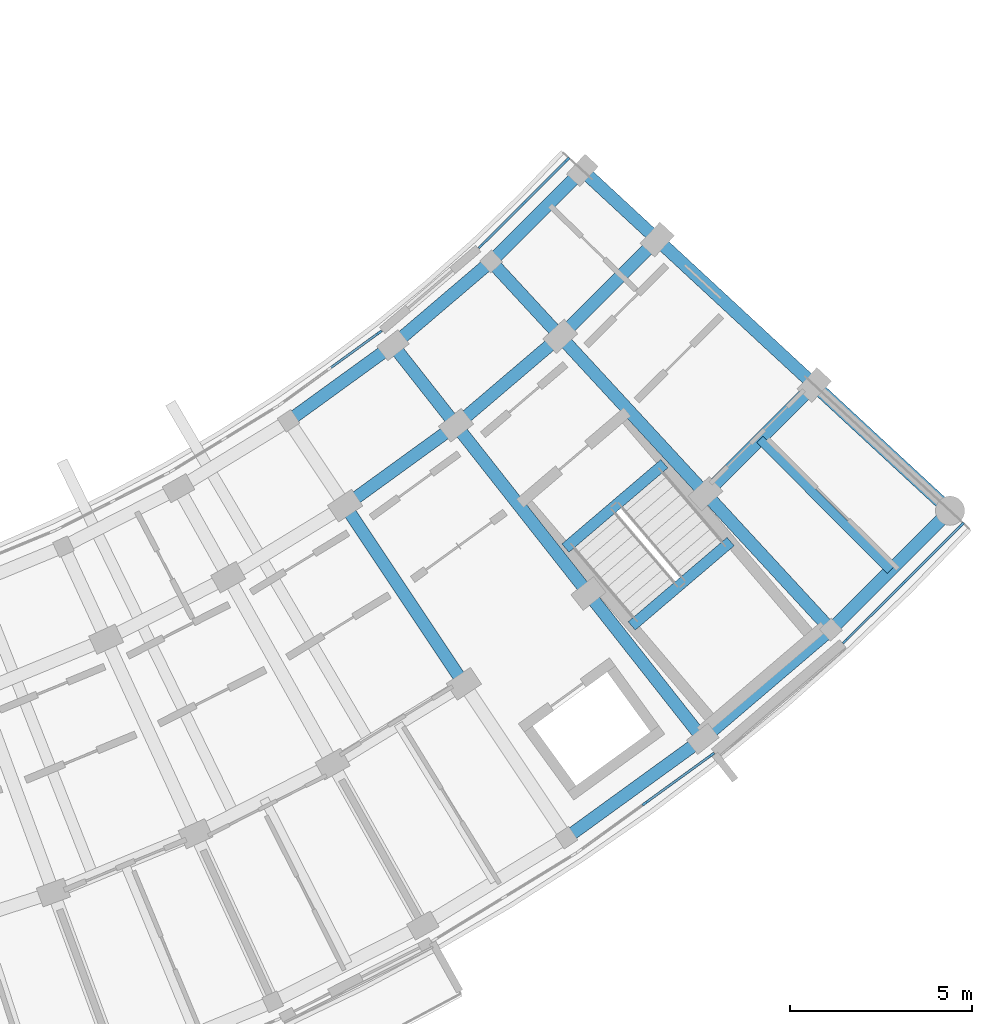
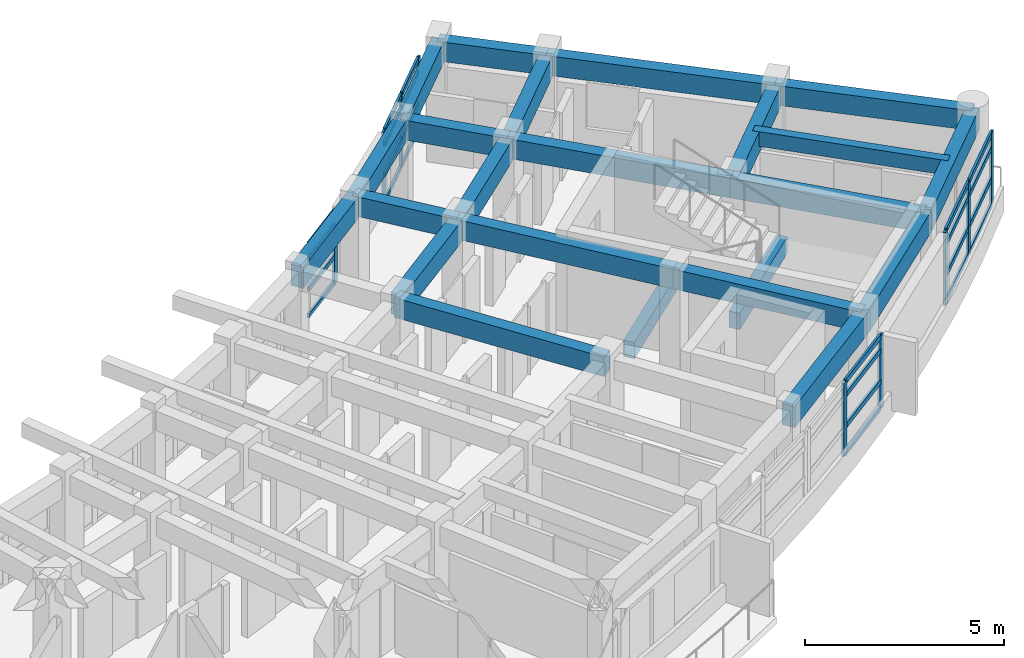
# One storey, part 20 of 55: 33 members, 23 beams, 4 elements without a shape of their own.
"""IFC4 building model written with IfcOpenShell, lengths in metres."""

from ifc_helpers import new_model, si_unit, direction, frame, origin, origin_2d, place, context, subcontext, project, spatial, rectangle, extrude, material, material_profile, profile_set, type_object, element, aggregate, save


model = new_model("IFC4")

# Units and contexts
model_context = context("Model", 3, precision=1e-05, world=origin(), true_north=direction((0.0, 1.0)))
body_context = subcontext(model_context, "Body", "Model", "MODEL_VIEW")
ifc_project = project(units=[si_unit("LENGTHUNIT", "METRE"), si_unit("AREAUNIT", "SQUARE_METRE"), si_unit("VOLUMEUNIT", "CUBIC_METRE"), si_unit("PLANEANGLEUNIT", "RADIAN"), si_unit("MASSUNIT", "GRAM", prefix="KILO")], contexts=[model_context])

# Site, building, storey
site_placement = place(None, origin())
site = spatial("IfcSite", under=ifc_project, at=site_placement, CompositionType="ELEMENT")
building_placement = place(site_placement, origin())
building = spatial("IfcBuilding", under=site, at=building_placement, Name="Zimvara Arc Housing Community", CompositionType="ELEMENT")
storey_placement = place(building_placement, frame((0.0, 0.0, 14.300048828125)))
storey = spatial("IfcBuildingStorey", under=building, at=storey_placement, Name="L04", CompositionType="ELEMENT", Elevation=14.300048828125)

# Beams
ifc_material_1 = material(Name="Concrete C40/50", Category="concrete")
ifc_material_profile_1 = material_profile(ifc_material_1, rectangle(XDim=0.25, YDim=0.449951171875, at=origin_2d()), Name="RC 250x450")
ifc_profile_set_1 = profile_set([ifc_material_profile_1], Name="Concrete C40/50")
beam_type_1 = type_object("IfcBeamType", Name="BM-RC-250x450", PredefinedType="JOIST", material=ifc_profile_set_1)
beam_1_placement = place(storey_placement, frame((163.959716796875, 71.813720703125, 2.635009765625), z_axis=(0.706529394337, -0.707683696956, 0.0), x_axis=(0.707683696956, 0.706529394337, 0.0)))
element("IfcBeam", 1, at=beam_1_placement, inside=storey, type_object=beam_type_1, Name="bm:blkD:L04:joist:b9", PredefinedType="JOIST", context=body_context, shape_type="SweptSolid", body=[
    extrude(rectangle(XDim=0.25, YDim=0.449951171875, at=origin_2d()), origin(), (0.0, 0.0, 1.0), 5.076171875),
])
ifc_material_2 = material(Name="Concrete C40/50", Category="concrete")
ifc_material_profile_2 = material_profile(ifc_material_2, rectangle(XDim=0.300048828125, YDim=0.5, at=origin_2d()), Name="RC 300x500")
ifc_profile_set_2 = profile_set([ifc_material_profile_2], Name="Concrete C40/50")
beam_type_2 = type_object("IfcBeamType", Name="BM-RC-300x500", PredefinedType="BEAM", material=ifc_profile_set_2)
for number, where, z_axis, x_axis, name in (
    (2, (158.617919921875, 68.826904296875, -0.25), (0.760986863652, 0.648767287515, 0.0), (-0.648767287515, 0.760986863652, 0.0), "bm:stair_trim:ST-D2:L04:near"),
    (3, (160.439697265625, 66.690185546875, 1.300048828125), (0.760986863652, 0.648767287515, 0.0), (-0.648767287515, 0.760986863652, 0.0), "bm:stair_trim:ST-D2:L04:mid"),
):
    element("IfcBeam", number, at=place(storey_placement, frame(where, z_axis=z_axis, x_axis=x_axis)), inside=storey, type_object=beam_type_2, Name=name, PredefinedType="BEAM", context=body_context, shape_type="SweptSolid", body=[
        extrude(rectangle(XDim=0.300048828125, YDim=0.5, at=origin_2d()), origin(), (0.0, 0.0, 1.0), 3.570068359375),
    ])
ifc_material_3 = material(Name="Concrete C40/50", Category="concrete")
ifc_material_profile_3 = material_profile(ifc_material_3, rectangle(XDim=0.35009765625, YDim=0.60009765625, at=origin_2d()), Name="RC 350x600")
ifc_profile_set_3 = profile_set([ifc_material_profile_3], Name="Concrete C40/50")
beam_type_3 = type_object("IfcBeamType", Name="BM-RC-350x600", PredefinedType="BEAM", material=ifc_profile_set_3)
beam_2_placement = place(storey_placement, frame((152.568115234375, 69.99267578125, 2.56005859375), z_axis=(0.554843914175, -0.831954464441, 0.0), x_axis=(0.831954464441, 0.554843914175, 0.0)))
element("IfcBeam", 4, at=beam_2_placement, inside=storey, type_object=beam_type_3, Name="bm:blkD:L04:rad:b7:r12", PredefinedType="BEAM", context=body_context, shape_type="SweptSolid", body=[
    extrude(rectangle(XDim=0.35009765625, YDim=0.60009765625, at=origin_2d()), origin(), (0.0, 0.0, 1.0), 5.8798828125),
])
beam_3_placement = place(storey_placement, frame((153.882568359375, 74.402099609375, 2.56005859375), z_axis=(0.618379767762, -0.785879420028, 0.0), x_axis=(0.785879420028, 0.618379767762, 0.0)))
element("IfcBeam", 5, at=beam_3_placement, inside=storey, type_object=beam_type_3, Name="bm:blkD:L04:rad:b8:r01", PredefinedType="BEAM", context=body_context, shape_type="SweptSolid", body=[
    extrude(rectangle(XDim=0.35009765625, YDim=0.60009765625, at=origin_2d()), origin(), (0.0, 0.0, 1.0), 2.800048828125),
])
beam_4_placement = place(storey_placement, frame((155.614013671875, 72.20166015625, 2.56005859375), z_axis=(0.618431976389, -0.785838336161, 0.0), x_axis=(0.785838336161, 0.618431976389, 0.0)))
element("IfcBeam", 6, at=beam_4_placement, inside=storey, type_object=beam_type_3, Name="bm:blkD:L04:rad:b8:r12", PredefinedType="BEAM", context=body_context, shape_type="SweptSolid", body=[
    extrude(rectangle(XDim=0.35009765625, YDim=0.60009765625, at=origin_2d()), origin(), (0.0, 0.0, 1.0), 5.880126953125),
])
beam_5_placement = place(storey_placement, frame((159.25048828125, 67.580810546875, 2.56005859375), z_axis=(0.618409338539, -0.785856150964, 0.0), x_axis=(0.785856150964, 0.618409338539, 0.0)))
element("IfcBeam", 7, at=beam_5_placement, inside=storey, type_object=beam_type_3, Name="bm:blkD:L04:rad:b8:r23", PredefinedType="BEAM", context=body_context, shape_type="SweptSolid", body=[
    extrude(rectangle(XDim=0.35009765625, YDim=0.60009765625, at=origin_2d()), origin(), (0.0, 0.0, 1.0), 5.079833984375),
])
beam_6_placement = place(storey_placement, frame((156.57861328125, 76.70068359375, 2.56005859375), z_axis=(0.678109874626, -0.734960541754, 0.0), x_axis=(0.734960541754, 0.678109874626, 0.0)))
element("IfcBeam", 8, at=beam_6_placement, inside=storey, type_object=beam_type_3, Name="bm:blkD:L04:rad:b9:r01", PredefinedType="BEAM", context=body_context, shape_type="SweptSolid", body=[
    extrude(rectangle(XDim=0.35009765625, YDim=0.60009765625, at=origin_2d()), origin(), (0.0, 0.0, 1.0), 2.800048828125),
])
beam_7_placement = place(storey_placement, frame((158.477294921875, 74.642822265625, 2.56005859375), z_axis=(0.678180078146, -0.734895762409, 0.0), x_axis=(0.734895762409, 0.678180078146, 0.0)))
element("IfcBeam", 9, at=beam_7_placement, inside=storey, type_object=beam_type_3, Name="bm:blkD:L04:rad:b9:r12", PredefinedType="BEAM", context=body_context, shape_type="SweptSolid", body=[
    extrude(rectangle(XDim=0.35009765625, YDim=0.60009765625, at=origin_2d()), origin(), (0.0, 0.0, 1.0), 5.880126953125),
])
beam_8_placement = place(storey_placement, frame((162.465087890625, 70.321533203125, 2.56005859375), z_axis=(0.678158334116, -0.734915827744, 0.0), x_axis=(0.734915827744, 0.678158334116, 0.0)))
element("IfcBeam", 10, at=beam_8_placement, inside=storey, type_object=beam_type_3, Name="bm:blkD:L04:rad:b9:r23", PredefinedType="BEAM", context=body_context, shape_type="SweptSolid", body=[
    extrude(rectangle(XDim=0.35009765625, YDim=0.60009765625, at=origin_2d()), origin(), (0.0, 0.0, 1.0), 5.080078125),
])
beam_9_placement = place(storey_placement, frame((159.0859375, 79.20361328125, 2.56005859375), z_axis=(0.733746184278, -0.679423680083, 0.0), x_axis=(0.679423680083, 0.733746184278, 0.0)))
element("IfcBeam", 11, at=beam_9_placement, inside=storey, type_object=beam_type_3, Name="bm:blkD:L04:rad:b10:r01", PredefinedType="BEAM", context=body_context, shape_type="SweptSolid", body=[
    extrude(rectangle(XDim=0.35009765625, YDim=0.60009765625, at=origin_2d()), origin(), (0.0, 0.0, 1.0), 2.800048828125),
])
beam_10_placement = place(storey_placement, frame((161.140380859375, 77.30126953125, 2.56005859375), z_axis=(0.733720040868, -0.679451912668, 0.0), x_axis=(0.679451912668, 0.733720040868, 0.0)))
element("IfcBeam", 12, at=beam_10_placement, inside=storey, type_object=beam_type_3, Name="bm:blkD:L04:rad:b10:r12", PredefinedType="BEAM", context=body_context, shape_type="SweptSolid", body=[
    extrude(rectangle(XDim=0.35009765625, YDim=0.60009765625, at=origin_2d()), origin(), (0.0, 0.0, 1.0), 5.8798828125),
])
beam_11_placement = place(storey_placement, frame((165.45458984375, 73.30615234375, 2.56005859375), z_axis=(0.733737603291, -0.679432947035, 0.0), x_axis=(0.679432947035, 0.733737603291, 0.0)))
element("IfcBeam", 13, at=beam_11_placement, inside=storey, type_object=beam_type_3, Name="bm:blkD:L04:rad:b10:r23", PredefinedType="BEAM", context=body_context, shape_type="SweptSolid", body=[
    extrude(rectangle(XDim=0.35009765625, YDim=0.60009765625, at=origin_2d()), origin(), (0.0, 0.0, 1.0), 5.080322265625),
])
ifc_material_4 = material(Name="Concrete C40/50", Category="concrete")
ifc_material_profile_4 = material_profile(ifc_material_4, rectangle(XDim=0.35009765625, YDim=0.64990234375, at=origin_2d()), Name="RC 350x650")
ifc_profile_set_4 = profile_set([ifc_material_profile_4], Name="Concrete C40/50")
beam_type_4 = type_object("IfcBeamType", Name="BM-RC-350x650", PredefinedType="BEAM", material=ifc_profile_set_4)
beam_12_placement = place(storey_placement, frame((151.0146484375, 72.322265625, 2.534912109375), z_axis=(0.809531019898, 0.587077105517, 0.0), x_axis=(-0.587077105517, 0.809531019898, 0.0)))
element("IfcBeam", 14, at=beam_12_placement, inside=storey, type_object=beam_type_4, Name="bm:blkD:L04:chord:r0:b7", PredefinedType="BEAM", context=body_context, shape_type="SweptSolid", body=[
    extrude(rectangle(XDim=0.35009765625, YDim=0.64990234375, at=origin_2d()), origin(), (0.0, 0.0, 1.0), 3.542724609375),
])
beam_13_placement = place(storey_placement, frame((153.882568359375, 74.402099609375, 2.534912109375), z_axis=(0.760971029961, 0.648785859556, 0.0), x_axis=(-0.648785859556, 0.760971029961, 0.0)))
element("IfcBeam", 15, at=beam_13_placement, inside=storey, type_object=beam_type_4, Name="bm:blkD:L04:chord:r0:b8", PredefinedType="BEAM", context=body_context, shape_type="SweptSolid", body=[
    extrude(rectangle(XDim=0.35009765625, YDim=0.64990234375, at=origin_2d()), origin(), (0.0, 0.0, 1.0), 3.54296875),
])
beam_14_placement = place(storey_placement, frame((156.57861328125, 76.70068359375, 2.534912109375), z_axis=(0.70772671761, 0.706486300773, 0.0), x_axis=(-0.706486300773, 0.70772671761, 0.0)))
element("IfcBeam", 16, at=beam_14_placement, inside=storey, type_object=beam_type_4, Name="bm:blkD:L04:chord:r0:b9", PredefinedType="BEAM", context=body_context, shape_type="SweptSolid", body=[
    extrude(rectangle(XDim=0.35009765625, YDim=0.64990234375, at=origin_2d()), origin(), (0.0, 0.0, 1.0), 3.542724609375),
])
for number, where, z_axis, x_axis, name in (
    (17, (152.568115234375, 69.99267578125, 2.534912109375), (0.809521012702, 0.58709090437, 0.0), (-0.58709090437, 0.809521012702, 0.0), "bm:blkD:L04:chord:r1:b7"),
    (18, (155.614013671875, 72.20166015625, 2.534912109375), (0.760971502801, 0.648785304955, 0.0), (-0.648785304955, 0.760971502801, 0.0), "bm:blkD:L04:chord:r1:b8"),
):
    element("IfcBeam", number, at=place(storey_placement, frame(where, z_axis=z_axis, x_axis=x_axis)), inside=storey, type_object=beam_type_4, Name=name, PredefinedType="BEAM", context=body_context, shape_type="SweptSolid", body=[
        extrude(rectangle(XDim=0.35009765625, YDim=0.64990234375, at=origin_2d()), origin(), (0.0, 0.0, 1.0), 3.7626953125),
    ])
beam_15_placement = place(storey_placement, frame((158.477294921875, 74.642822265625, 2.534912109375), z_axis=(0.707722882862, 0.706490142234, 0.0), x_axis=(-0.706490142234, 0.707722882862, 0.0)))
element("IfcBeam", 19, at=beam_15_placement, inside=storey, type_object=beam_type_4, Name="bm:blkD:L04:chord:r1:b9", PredefinedType="BEAM", context=body_context, shape_type="SweptSolid", body=[
    extrude(rectangle(XDim=0.35009765625, YDim=0.64990234375, at=origin_2d()), origin(), (0.0, 0.0, 1.0), 3.762939453125),
])
beam_16_placement = place(storey_placement, frame((162.465087890625, 70.321533203125, 2.534912109375), z_axis=(0.707684482516, 0.706528607493, 0.0), x_axis=(-0.706528607493, 0.707684482516, 0.0)))
element("IfcBeam", 20, at=beam_16_placement, inside=storey, type_object=beam_type_4, Name="bm:blkD:L04:chord:r2:b9", PredefinedType="BEAM", context=body_context, shape_type="SweptSolid", body=[
    extrude(rectangle(XDim=0.35009765625, YDim=0.64990234375, at=origin_2d()), origin(), (0.0, 0.0, 1.0), 4.224365234375),
])
for number, where, z_axis, x_axis, name in (
    (21, (158.649169921875, 60.87451171875, 2.534912109375), (0.809516329672, 0.587097361598, 0.0), (-0.587097361598, 0.809516329672, 0.0), "bm:blkD:L04:chord:r3:b7"),
    (22, (162.391845703125, 63.5888671875, 2.534912109375), (0.761009534972, 0.648740693715, 0.0), (-0.648740693715, 0.761009534972, 0.0), "bm:blkD:L04:chord:r3:b8"),
    (23, (165.91015625, 66.588134765625, 2.534912109375), (0.707713796096, 0.706499244738, 0.0), (-0.706499244738, 0.707713796096, 0.0), "bm:blkD:L04:chord:r3:b9"),
):
    element("IfcBeam", number, at=place(storey_placement, frame(where, z_axis=z_axis, x_axis=x_axis)), inside=storey, type_object=beam_type_4, Name=name, PredefinedType="BEAM", context=body_context, shape_type="SweptSolid", body=[
        extrude(rectangle(XDim=0.35009765625, YDim=0.64990234375, at=origin_2d()), origin(), (0.0, 0.0, 1.0), 4.623291015625),
    ])

# Curtain wall, member
ifc_material_5 = material(Name="Anodised Aluminium AW-6063", Category="aluminium")
curtain_wall_type_1 = type_object("IfcCurtainWallType", Name="CW-SYS-04", PredefinedType="USERDEFINED", material=ifc_material_5)
curtain_wall_1_placement = place(storey_placement, origin())
curtain_wall_1 = element("IfcCurtainWall", 24, at=curtain_wall_1_placement, inside=storey, type_object=curtain_wall_type_1, Name="cw:blkD:L04:in:b7", ObjectType="CURTAIN WALL", PredefinedType="USERDEFINED")
ifc_material_6 = material(Name="Anodised Aluminium AW-6063", Category="aluminium")
ifc_material_profile_5 = material_profile(ifc_material_6, rectangle(XDim=0.06494140625, YDim=0.179931640625, at=origin_2d()), Name="ALU 65x180")
ifc_profile_set_5 = profile_set([ifc_material_profile_5], Name="Anodised Aluminium AW-6063")
member_type_1 = type_object("IfcMemberType", Name="CWM-65x150", PredefinedType="MULLION", material=ifc_profile_set_5)
member_1_placement = place(storey_placement, frame((153.49853515625, 74.74072265625, 0.0), z_axis=(0.0, 0.0, 1.0), x_axis=(-0.587079343755, 0.809529396709, 0.0)))
member_1 = element("IfcMember", 25, at=member_1_placement, type_object=member_type_1, Name="CW04 mullion 3", PredefinedType="MULLION", context=body_context, shape_type="SweptSolid", body=[
    extrude(rectangle(XDim=0.06494140625, YDim=0.179931640625, at=origin_2d()), origin(), (0.0, 0.0, 1.0), 2.25),
])

# Curtain wall, members
ifc_material_7 = material(Name="Anodised Aluminium AW-6063", Category="aluminium")
curtain_wall_type_2 = type_object("IfcCurtainWallType", Name="CW-SYS-06", PredefinedType="USERDEFINED", material=ifc_material_7)
curtain_wall_2_placement = place(storey_placement, origin())
curtain_wall_2 = element("IfcCurtainWall", 26, at=curtain_wall_2_placement, inside=storey, type_object=curtain_wall_type_2, Name="cw:blkD:L04:in:b9", ObjectType="CURTAIN WALL", PredefinedType="USERDEFINED")
member_2_placement = place(storey_placement, frame((156.304931640625, 77.133544921875, 0.0), z_axis=(0.0, 0.0, 1.0), x_axis=(-0.706490294632, 0.707722730729, 0.0)))
member_2 = element("IfcMember", 27, at=member_2_placement, type_object=member_type_1, Name="CW06 mullion 1", PredefinedType="MULLION", context=body_context, shape_type="SweptSolid", body=[
    extrude(rectangle(XDim=0.06494140625, YDim=0.179931640625, at=origin_2d()), origin(), (0.0, 0.0, 1.0), 2.25),
])
member_3_placement = place(storey_placement, frame((157.479248046875, 78.3056640625, 0.0), z_axis=(0.0, 0.0, 1.0), x_axis=(-0.706490294632, 0.707722730729, 0.0)))
member_3 = element("IfcMember", 28, at=member_3_placement, type_object=member_type_1, Name="CW06 mullion 2", PredefinedType="MULLION", context=body_context, shape_type="SweptSolid", body=[
    extrude(rectangle(XDim=0.06494140625, YDim=0.179931640625, at=origin_2d()), origin(), (0.0, 0.0, 1.0), 2.25),
])
member_4_placement = place(storey_placement, frame((158.653564453125, 79.47802734375, 0.0), z_axis=(0.0, 0.0, 1.0), x_axis=(-0.706490294632, 0.707722730729, 0.0)))
member_4 = element("IfcMember", 29, at=member_4_placement, type_object=member_type_1, Name="CW06 mullion 3", PredefinedType="MULLION", context=body_context, shape_type="SweptSolid", body=[
    extrude(rectangle(XDim=0.06494140625, YDim=0.179931640625, at=origin_2d()), origin(), (0.0, 0.0, 1.0), 2.25),
])

ifc_material_8 = material(Name="Anodised Aluminium AW-6063", Category="aluminium")
curtain_wall_type_3 = type_object("IfcCurtainWallType", Name="CW-SYS-03", PredefinedType="USERDEFINED", material=ifc_material_8)
curtain_wall_3_placement = place(storey_placement, origin())
curtain_wall_3 = element("IfcCurtainWall", 30, at=curtain_wall_3_placement, inside=storey, type_object=curtain_wall_type_3, Name="cw:blkD:L04:out:b7", ObjectType="CURTAIN WALL", PredefinedType="USERDEFINED")
ifc_material_9 = material(Name="Anodised Aluminium AW-6063", Category="aluminium")
ifc_material_profile_6 = material_profile(ifc_material_9, rectangle(XDim=0.06494140625, YDim=0.195068359375, at=origin_2d()), Name="ALU 65x195")
ifc_profile_set_6 = profile_set([ifc_material_profile_6], Name="Anodised Aluminium AW-6063")
member_type_2 = type_object("IfcMemberType", Name="CWM-65x180", PredefinedType="MULLION", material=ifc_profile_set_6)
member_5_placement = place(storey_placement, frame((160.81396484375, 61.8271484375, 0.0), z_axis=(0.0, 0.0, 1.0), x_axis=(-0.587077917196, 0.809530431263, 0.0)))
member_5 = element("IfcMember", 31, at=member_5_placement, type_object=member_type_2, Name="CW03 mullion 2", PredefinedType="MULLION", context=body_context, shape_type="SweptSolid", body=[
    extrude(rectangle(XDim=0.06494140625, YDim=0.195068359375, at=origin_2d()), origin(), (0.0, 0.0, 1.0), 2.25),
])
member_6_placement = place(storey_placement, frame((162.626220703125, 63.1416015625, 0.0), z_axis=(0.0, 0.0, 1.0), x_axis=(-0.587077917196, 0.809530431263, 0.0)))
member_6 = element("IfcMember", 32, at=member_6_placement, type_object=member_type_2, Name="CW03 mullion 3", PredefinedType="MULLION", context=body_context, shape_type="SweptSolid", body=[
    extrude(rectangle(XDim=0.06494140625, YDim=0.195068359375, at=origin_2d()), origin(), (0.0, 0.0, 1.0), 2.25),
])

ifc_material_10 = material(Name="Anodised Aluminium AW-6063", Category="aluminium")
curtain_wall_type_4 = type_object("IfcCurtainWallType", Name="CW-SYS-05", PredefinedType="USERDEFINED", material=ifc_material_10)
curtain_wall_4_placement = place(storey_placement, origin())
curtain_wall_4 = element("IfcCurtainWall", 33, at=curtain_wall_4_placement, inside=storey, type_object=curtain_wall_type_4, Name="cw:blkD:L04:out:b9", ObjectType="CURTAIN WALL", PredefinedType="USERDEFINED")
member_7_placement = place(storey_placement, frame((166.314697265625, 66.2861328125, 0.0), z_axis=(0.0, 0.0, 1.0), x_axis=(-0.706489010891, 0.707724012233, 0.0)))
member_7 = element("IfcMember", 34, at=member_7_placement, type_object=member_type_2, Name="CW05 mullion 1", PredefinedType="MULLION", context=body_context, shape_type="SweptSolid", body=[
    extrude(rectangle(XDim=0.06494140625, YDim=0.195068359375, at=origin_2d()), origin(), (0.0, 0.0, 1.0), 2.25),
])
member_8_placement = place(storey_placement, frame((167.89892578125, 67.86767578125, 0.0), z_axis=(0.0, 0.0, 1.0), x_axis=(-0.706489010891, 0.707724012233, 0.0)))
member_8 = element("IfcMember", 35, at=member_8_placement, type_object=member_type_2, Name="CW05 mullion 2", PredefinedType="MULLION", context=body_context, shape_type="SweptSolid", body=[
    extrude(rectangle(XDim=0.06494140625, YDim=0.195068359375, at=origin_2d()), origin(), (0.0, 0.0, 1.0), 2.25),
])
member_9_placement = place(storey_placement, frame((169.4833984375, 69.449462890625, 0.0), z_axis=(0.0, 0.0, 1.0), x_axis=(-0.706489010891, 0.707724012233, 0.0)))
member_9 = element("IfcMember", 36, at=member_9_placement, type_object=member_type_2, Name="CW05 mullion 3", PredefinedType="MULLION", context=body_context, shape_type="SweptSolid", body=[
    extrude(rectangle(XDim=0.06494140625, YDim=0.195068359375, at=origin_2d()), origin(), (0.0, 0.0, 1.0), 2.25),
])

# Member
ifc_material_11 = material(Name="Anodised Aluminium AW-6063", Category="aluminium")
ifc_material_profile_7 = material_profile(ifc_material_11, rectangle(XDim=0.06494140625, YDim=0.139892578125, at=origin_2d()), Name="ALU 65x140")
ifc_profile_set_7 = profile_set([ifc_material_profile_7], Name="Anodised Aluminium AW-6063")
member_type_3 = type_object("IfcMemberType", Name="CWT-65x120", PredefinedType="USERDEFINED", material=ifc_profile_set_7)
member_10_placement = place(storey_placement, frame((152.181640625, 73.78564453125, 0.032470703125), z_axis=(0.809490349774, 0.587133182185, 0.0), x_axis=(-0.587133182185, 0.809490349774, 0.0)))
member_10 = element("IfcMember", 37, at=member_10_placement, type_object=member_type_3, Name="CW04 transom 2.1", ObjectType="TRANSOM", PredefinedType="USERDEFINED", context=body_context, shape_type="SweptSolid", body=[
    extrude(rectangle(XDim=0.06494140625, YDim=0.139892578125, at=origin_2d()), origin(), (0.0, 0.0, 1.0), 1.59423828125),
])

member_11_placement = place(storey_placement, frame((152.181640625, 73.78564453125, 0.849853515625), z_axis=(0.809490349774, 0.587133182185, 0.0), x_axis=(-0.587133182185, 0.809490349774, 0.0)))
member_11 = element("IfcMember", 38, at=member_11_placement, type_object=member_type_3, Name="CW04 transom 2.2", ObjectType="TRANSOM", PredefinedType="USERDEFINED", context=body_context, shape_type="SweptSolid", body=[
    extrude(rectangle(XDim=0.06494140625, YDim=0.139892578125, at=origin_2d()), origin(), (0.0, 0.0, 1.0), 1.59423828125),
])

member_12_placement = place(storey_placement, frame((152.181640625, 73.78564453125, 1.800048828125), z_axis=(0.809490349774, 0.587133182185, 0.0), x_axis=(-0.587133182185, 0.809490349774, 0.0)))
member_12 = element("IfcMember", 39, at=member_12_placement, type_object=member_type_3, Name="CW04 transom 2.3", ObjectType="TRANSOM", PredefinedType="USERDEFINED", context=body_context, shape_type="SweptSolid", body=[
    extrude(rectangle(XDim=0.06494140625, YDim=0.139892578125, at=origin_2d()), origin(), (0.0, 0.0, 1.0), 1.59423828125),
])

member_13_placement = place(storey_placement, frame((152.181640625, 73.78564453125, 2.217529296875), z_axis=(0.809490349774, 0.587133182185, 0.0), x_axis=(-0.587133182185, 0.809490349774, 0.0)))
member_13 = element("IfcMember", 40, at=member_13_placement, type_object=member_type_3, Name="CW04 transom 2.4", ObjectType="TRANSOM", PredefinedType="USERDEFINED", context=body_context, shape_type="SweptSolid", body=[
    extrude(rectangle(XDim=0.06494140625, YDim=0.139892578125, at=origin_2d()), origin(), (0.0, 0.0, 1.0), 1.59423828125),
])

aggregate(curtain_wall_1, [member_1, member_10, member_11, member_12, member_13])

member_14_placement = place(storey_placement, frame((156.327880859375, 77.156494140625, 0.032470703125), z_axis=(0.707795558339, 0.706417332457, 0.0), x_axis=(-0.706417332457, 0.707795558339, 0.0)))
member_14 = element("IfcMember", 41, at=member_14_placement, type_object=member_type_3, Name="CW06 transom 1.1", ObjectType="TRANSOM", PredefinedType="USERDEFINED", context=body_context, shape_type="SweptSolid", body=[
    extrude(rectangle(XDim=0.06494140625, YDim=0.139892578125, at=origin_2d()), origin(), (0.0, 0.0, 1.0), 1.59423828125),
])

member_15_placement = place(storey_placement, frame((156.327880859375, 77.156494140625, 0.849853515625), z_axis=(0.707795558339, 0.706417332457, 0.0), x_axis=(-0.706417332457, 0.707795558339, 0.0)))
member_15 = element("IfcMember", 42, at=member_15_placement, type_object=member_type_3, Name="CW06 transom 1.2", ObjectType="TRANSOM", PredefinedType="USERDEFINED", context=body_context, shape_type="SweptSolid", body=[
    extrude(rectangle(XDim=0.06494140625, YDim=0.139892578125, at=origin_2d()), origin(), (0.0, 0.0, 1.0), 1.59423828125),
])

member_16_placement = place(storey_placement, frame((156.327880859375, 77.156494140625, 1.800048828125), z_axis=(0.707795558339, 0.706417332457, 0.0), x_axis=(-0.706417332457, 0.707795558339, 0.0)))
member_16 = element("IfcMember", 43, at=member_16_placement, type_object=member_type_3, Name="CW06 transom 1.3", ObjectType="TRANSOM", PredefinedType="USERDEFINED", context=body_context, shape_type="SweptSolid", body=[
    extrude(rectangle(XDim=0.06494140625, YDim=0.139892578125, at=origin_2d()), origin(), (0.0, 0.0, 1.0), 1.59423828125),
])

member_17_placement = place(storey_placement, frame((156.327880859375, 77.156494140625, 2.217529296875), z_axis=(0.707795558339, 0.706417332457, 0.0), x_axis=(-0.706417332457, 0.707795558339, 0.0)))
member_17 = element("IfcMember", 44, at=member_17_placement, type_object=member_type_3, Name="CW06 transom 1.4", ObjectType="TRANSOM", PredefinedType="USERDEFINED", context=body_context, shape_type="SweptSolid", body=[
    extrude(rectangle(XDim=0.06494140625, YDim=0.139892578125, at=origin_2d()), origin(), (0.0, 0.0, 1.0), 1.59423828125),
])

member_18_placement = place(storey_placement, frame((157.502197265625, 78.32861328125, 0.032470703125), z_axis=(0.707718994505, 0.706494037354, 0.0), x_axis=(-0.706494037354, 0.707718994505, 0.0)))
member_18 = element("IfcMember", 45, at=member_18_placement, type_object=member_type_3, Name="CW06 transom 2.1", ObjectType="TRANSOM", PredefinedType="USERDEFINED", context=body_context, shape_type="SweptSolid", body=[
    extrude(rectangle(XDim=0.06494140625, YDim=0.139892578125, at=origin_2d()), origin(), (0.0, 0.0, 1.0), 1.594482421875),
])

member_19_placement = place(storey_placement, frame((157.502197265625, 78.32861328125, 0.849853515625), z_axis=(0.707718994505, 0.706494037354, 0.0), x_axis=(-0.706494037354, 0.707718994505, 0.0)))
member_19 = element("IfcMember", 46, at=member_19_placement, type_object=member_type_3, Name="CW06 transom 2.2", ObjectType="TRANSOM", PredefinedType="USERDEFINED", context=body_context, shape_type="SweptSolid", body=[
    extrude(rectangle(XDim=0.06494140625, YDim=0.139892578125, at=origin_2d()), origin(), (0.0, 0.0, 1.0), 1.594482421875),
])

member_20_placement = place(storey_placement, frame((157.502197265625, 78.32861328125, 1.800048828125), z_axis=(0.707718994505, 0.706494037354, 0.0), x_axis=(-0.706494037354, 0.707718994505, 0.0)))
member_20 = element("IfcMember", 47, at=member_20_placement, type_object=member_type_3, Name="CW06 transom 2.3", ObjectType="TRANSOM", PredefinedType="USERDEFINED", context=body_context, shape_type="SweptSolid", body=[
    extrude(rectangle(XDim=0.06494140625, YDim=0.139892578125, at=origin_2d()), origin(), (0.0, 0.0, 1.0), 1.594482421875),
])

member_21_placement = place(storey_placement, frame((157.502197265625, 78.32861328125, 2.217529296875), z_axis=(0.707718994505, 0.706494037354, 0.0), x_axis=(-0.706494037354, 0.707718994505, 0.0)))
member_21 = element("IfcMember", 48, at=member_21_placement, type_object=member_type_3, Name="CW06 transom 2.4", ObjectType="TRANSOM", PredefinedType="USERDEFINED", context=body_context, shape_type="SweptSolid", body=[
    extrude(rectangle(XDim=0.06494140625, YDim=0.139892578125, at=origin_2d()), origin(), (0.0, 0.0, 1.0), 1.594482421875),
])

aggregate(curtain_wall_2, [member_2, member_3, member_4, member_14, member_15, member_16, member_17, member_18, member_19, member_20, member_21])

ifc_material_12 = material(Name="Anodised Aluminium AW-6063", Category="aluminium")
ifc_material_profile_8 = material_profile(ifc_material_12, rectangle(XDim=0.06494140625, YDim=0.155029296875, at=origin_2d()), Name="ALU 65x155")
ifc_profile_set_8 = profile_set([ifc_material_profile_8], Name="Anodised Aluminium AW-6063")
member_type_4 = type_object("IfcMemberType", Name="CWT-65x140", PredefinedType="USERDEFINED", material=ifc_profile_set_8)
member_22_placement = place(storey_placement, frame((160.840087890625, 61.84619140625, 0.032470703125), z_axis=(0.80954639163, 0.587055908581, 0.0), x_axis=(-0.587055908581, 0.80954639163, 0.0)))
member_22 = element("IfcMember", 49, at=member_22_placement, type_object=member_type_4, Name="CW03 transom 2.1", ObjectType="TRANSOM", PredefinedType="USERDEFINED", context=body_context, shape_type="SweptSolid", body=[
    extrude(rectangle(XDim=0.06494140625, YDim=0.155029296875, at=origin_2d()), origin(), (0.0, 0.0, 1.0), 2.173828125),
])

member_23_placement = place(storey_placement, frame((160.840087890625, 61.84619140625, 0.849853515625), z_axis=(0.80954639163, 0.587055908581, 0.0), x_axis=(-0.587055908581, 0.80954639163, 0.0)))
member_23 = element("IfcMember", 50, at=member_23_placement, type_object=member_type_4, Name="CW03 transom 2.2", ObjectType="TRANSOM", PredefinedType="USERDEFINED", context=body_context, shape_type="SweptSolid", body=[
    extrude(rectangle(XDim=0.06494140625, YDim=0.155029296875, at=origin_2d()), origin(), (0.0, 0.0, 1.0), 2.173828125),
])

member_24_placement = place(storey_placement, frame((160.840087890625, 61.84619140625, 1.800048828125), z_axis=(0.80954639163, 0.587055908581, 0.0), x_axis=(-0.587055908581, 0.80954639163, 0.0)))
member_24 = element("IfcMember", 51, at=member_24_placement, type_object=member_type_4, Name="CW03 transom 2.3", ObjectType="TRANSOM", PredefinedType="USERDEFINED", context=body_context, shape_type="SweptSolid", body=[
    extrude(rectangle(XDim=0.06494140625, YDim=0.155029296875, at=origin_2d()), origin(), (0.0, 0.0, 1.0), 2.173828125),
])

member_25_placement = place(storey_placement, frame((160.840087890625, 61.84619140625, 2.217529296875), z_axis=(0.80954639163, 0.587055908581, 0.0), x_axis=(-0.587055908581, 0.80954639163, 0.0)))
member_25 = element("IfcMember", 52, at=member_25_placement, type_object=member_type_4, Name="CW03 transom 2.4", ObjectType="TRANSOM", PredefinedType="USERDEFINED", context=body_context, shape_type="SweptSolid", body=[
    extrude(rectangle(XDim=0.06494140625, YDim=0.155029296875, at=origin_2d()), origin(), (0.0, 0.0, 1.0), 2.173828125),
])

aggregate(curtain_wall_3, [member_5, member_6, member_22, member_23, member_24, member_25])

member_26_placement = place(storey_placement, frame((166.337646484375, 66.30908203125, 0.032470703125), z_axis=(0.707724267801, 0.706488754875, 0.0), x_axis=(-0.706488754875, 0.707724267801, 0.0)))
member_26 = element("IfcMember", 53, at=member_26_placement, type_object=member_type_4, Name="CW05 transom 1.1", ObjectType="TRANSOM", PredefinedType="USERDEFINED", context=body_context, shape_type="SweptSolid", body=[
    extrude(rectangle(XDim=0.06494140625, YDim=0.155029296875, at=origin_2d()), origin(), (0.0, 0.0, 1.0), 2.173583984375),
])

member_27_placement = place(storey_placement, frame((166.337646484375, 66.30908203125, 0.849853515625), z_axis=(0.707724267801, 0.706488754875, 0.0), x_axis=(-0.706488754875, 0.707724267801, 0.0)))
member_27 = element("IfcMember", 54, at=member_27_placement, type_object=member_type_4, Name="CW05 transom 1.2", ObjectType="TRANSOM", PredefinedType="USERDEFINED", context=body_context, shape_type="SweptSolid", body=[
    extrude(rectangle(XDim=0.06494140625, YDim=0.155029296875, at=origin_2d()), origin(), (0.0, 0.0, 1.0), 2.173583984375),
])

member_28_placement = place(storey_placement, frame((166.337646484375, 66.30908203125, 1.800048828125), z_axis=(0.707724267801, 0.706488754875, 0.0), x_axis=(-0.706488754875, 0.707724267801, 0.0)))
member_28 = element("IfcMember", 55, at=member_28_placement, type_object=member_type_4, Name="CW05 transom 1.3", ObjectType="TRANSOM", PredefinedType="USERDEFINED", context=body_context, shape_type="SweptSolid", body=[
    extrude(rectangle(XDim=0.06494140625, YDim=0.155029296875, at=origin_2d()), origin(), (0.0, 0.0, 1.0), 2.173583984375),
])

member_29_placement = place(storey_placement, frame((166.337646484375, 66.30908203125, 2.217529296875), z_axis=(0.707724267801, 0.706488754875, 0.0), x_axis=(-0.706488754875, 0.707724267801, 0.0)))
member_29 = element("IfcMember", 56, at=member_29_placement, type_object=member_type_4, Name="CW05 transom 1.4", ObjectType="TRANSOM", PredefinedType="USERDEFINED", context=body_context, shape_type="SweptSolid", body=[
    extrude(rectangle(XDim=0.06494140625, YDim=0.155029296875, at=origin_2d()), origin(), (0.0, 0.0, 1.0), 2.173583984375),
])

member_30_placement = place(storey_placement, frame((167.922119140625, 67.890625, 0.032470703125), z_axis=(0.707668110429, 0.706545005985, 0.0), x_axis=(-0.706545005985, 0.707668110429, 0.0)))
member_30 = element("IfcMember", 57, at=member_30_placement, type_object=member_type_4, Name="CW05 transom 2.1", ObjectType="TRANSOM", PredefinedType="USERDEFINED", context=body_context, shape_type="SweptSolid", body=[
    extrude(rectangle(XDim=0.06494140625, YDim=0.155029296875, at=origin_2d()), origin(), (0.0, 0.0, 1.0), 2.173828125),
])

member_31_placement = place(storey_placement, frame((167.922119140625, 67.890625, 0.849853515625), z_axis=(0.707668110429, 0.706545005985, 0.0), x_axis=(-0.706545005985, 0.707668110429, 0.0)))
member_31 = element("IfcMember", 58, at=member_31_placement, type_object=member_type_4, Name="CW05 transom 2.2", ObjectType="TRANSOM", PredefinedType="USERDEFINED", context=body_context, shape_type="SweptSolid", body=[
    extrude(rectangle(XDim=0.06494140625, YDim=0.155029296875, at=origin_2d()), origin(), (0.0, 0.0, 1.0), 2.173828125),
])

member_32_placement = place(storey_placement, frame((167.922119140625, 67.890625, 1.800048828125), z_axis=(0.707668110429, 0.706545005985, 0.0), x_axis=(-0.706545005985, 0.707668110429, 0.0)))
member_32 = element("IfcMember", 59, at=member_32_placement, type_object=member_type_4, Name="CW05 transom 2.3", ObjectType="TRANSOM", PredefinedType="USERDEFINED", context=body_context, shape_type="SweptSolid", body=[
    extrude(rectangle(XDim=0.06494140625, YDim=0.155029296875, at=origin_2d()), origin(), (0.0, 0.0, 1.0), 2.173828125),
])

member_33_placement = place(storey_placement, frame((167.922119140625, 67.890625, 2.217529296875), z_axis=(0.707668110429, 0.706545005985, 0.0), x_axis=(-0.706545005985, 0.707668110429, 0.0)))
member_33 = element("IfcMember", 60, at=member_33_placement, type_object=member_type_4, Name="CW05 transom 2.4", ObjectType="TRANSOM", PredefinedType="USERDEFINED", context=body_context, shape_type="SweptSolid", body=[
    extrude(rectangle(XDim=0.06494140625, YDim=0.155029296875, at=origin_2d()), origin(), (0.0, 0.0, 1.0), 2.173828125),
])

aggregate(curtain_wall_4, [member_7, member_8, member_9, member_26, member_27, member_28, member_29, member_30, member_31, member_32, member_33])

save(model, "model.ifc")
